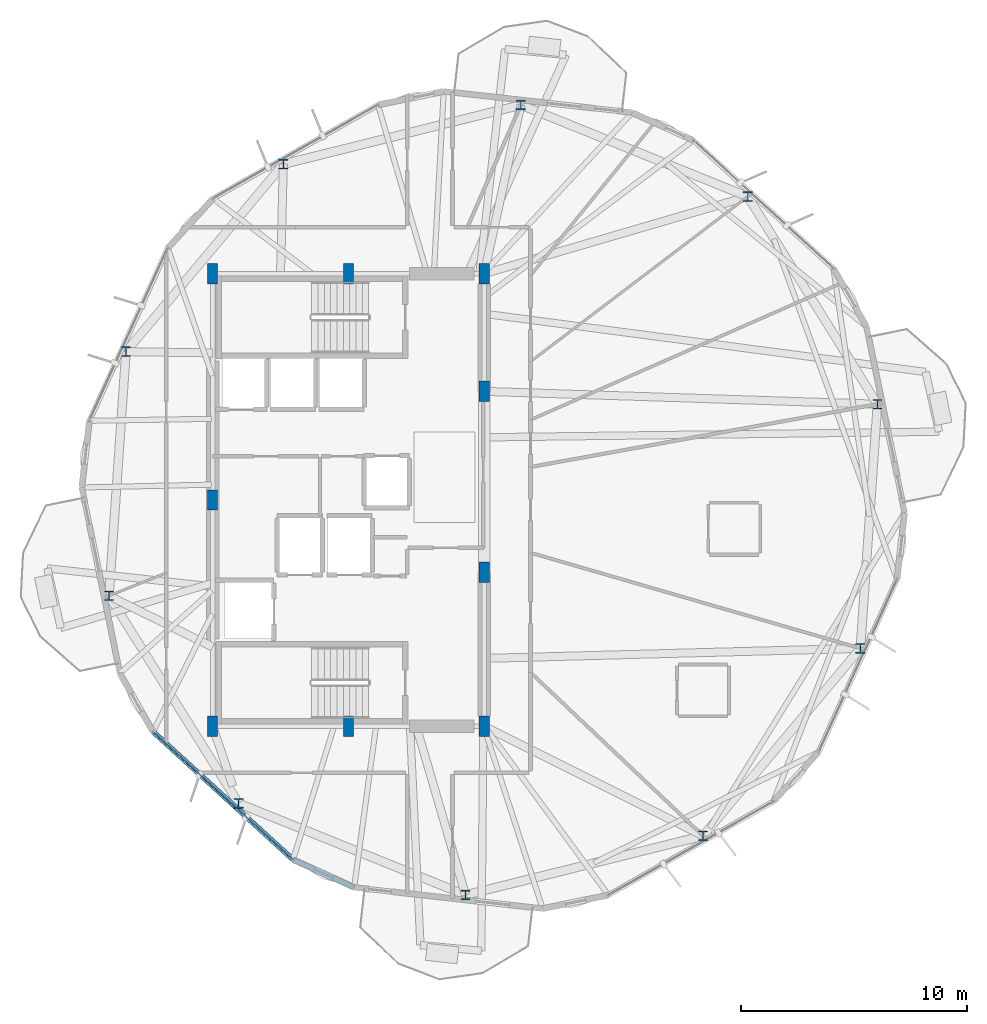
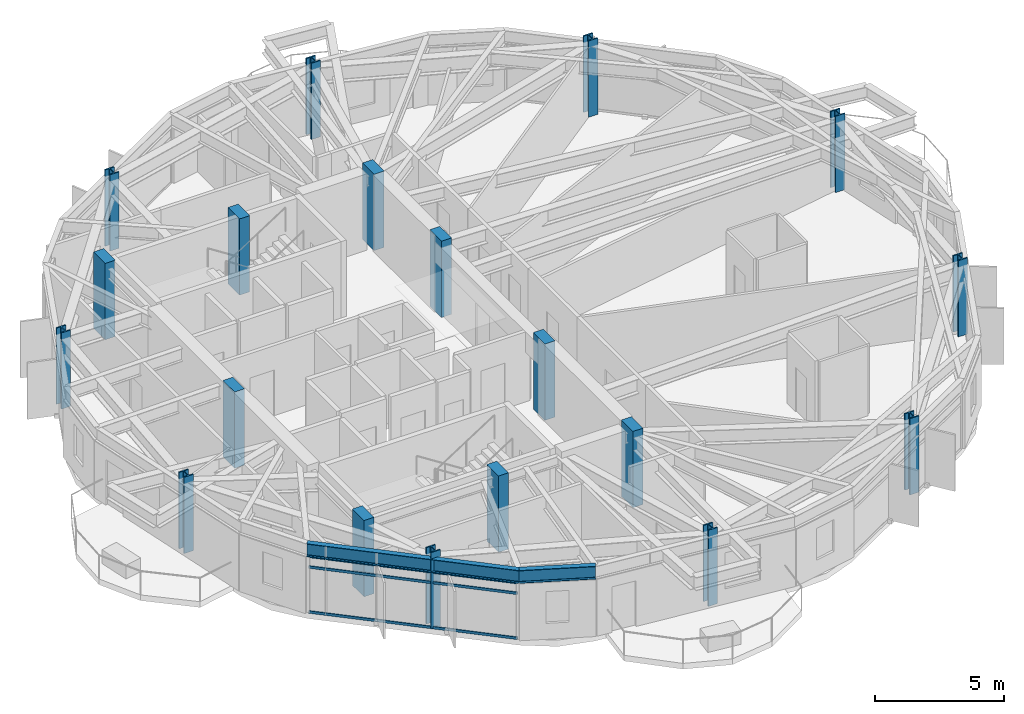
# One storey, part 1 of 22: 19 columns, 3 members, 2 beams, 1 element without a shape of its own.
"""IFC4 building model written with IfcOpenShell, lengths in metres."""

from ifc_helpers import new_model, si_unit, direction, frame, origin, origin_2d, place, context, subcontext, project, spatial, rectangle, hollow_rectangle, i_section, extrude, material, layer, layer_set, material_profile, profile_set, type_object, element, aggregate, save


model = new_model("IFC4")

# Units and contexts
model_context = context("Model", 3, precision=1e-05, world=origin(), true_north=direction((0.0, 1.0)))
body_context = subcontext(model_context, "Body", "Model", "MODEL_VIEW")
ifc_project = project(units=[si_unit("LENGTHUNIT", "METRE"), si_unit("AREAUNIT", "SQUARE_METRE"), si_unit("VOLUMEUNIT", "CUBIC_METRE"), si_unit("PLANEANGLEUNIT", "RADIAN"), si_unit("MASSUNIT", "GRAM", prefix="KILO")], contexts=[model_context])

# Site, building, storey
site_placement = place(None, origin())
site = spatial("IfcSite", under=ifc_project, at=site_placement, CompositionType="ELEMENT")
building_placement = place(site_placement, origin())
building = spatial("IfcBuilding", under=site, at=building_placement, Name="Soratama Intermodal Tower", CompositionType="ELEMENT")
storey_placement = place(building_placement, frame((0.0, 0.0, 142.60009765625)))
storey = spatial("IfcBuildingStorey", under=building, at=storey_placement, Name="L34", CompositionType="ELEMENT", Elevation=142.60009765625)

# Columns
ifc_material_1 = material(Name="Structural steel ASTM A992 Grade 50", Category="steel")
ifc_material_profile_1 = material_profile(ifc_material_1, i_section(OverallWidth=0.412109375, OverallDepth=0.43505859375, WebThickness=0.035888671875, FlangeThickness=0.057373046875, FilletRadius=0.0380859375, at=origin_2d()), Name="W14X311")
ifc_profile_set_1 = profile_set([ifc_material_profile_1], Name="Structural steel ASTM A992 Grade 50")
column_type_1 = type_object("IfcColumnType", Name="COL-ZC-W14X311", PredefinedType="COLUMN", material=ifc_profile_set_1)
for number, where, z_axis, x_axis, name in (
    (1, (61.980224609375, 29.233642578125, 0.0), (0.0, 0.0, 1.0), (1.0, 0.0, 0.0), "L34 Tower Ring Column R01"),
    (2, (56.248779296875, 38.40576171875, 0.0), (0.0, 0.0, 1.0), (1.0, 0.0, 0.0), "L34 Tower Ring Column R02"),
    (3, (46.220703125, 42.45751953125, 0.0), (0.0, 0.0, 1.0), (1.0, 0.0, 0.0), "L34 Tower Ring Column R03"),
    (4, (35.726318359375, 39.8408203125, 0.0), (0.0, 0.0, 1.0), (1.0, 0.0, 0.0), "L34 Tower Ring Column R04"),
    (5, (28.7744140625, 31.5556640625, 0.0), (0.0, 0.0, 1.0), (1.0, 0.0, 0.0), "L34 Tower Ring Column R05"),
    (6, (28.019775390625, 20.766357421875, 0.0), (0.0, 0.0, 1.0), (1.0, 0.0, 0.0), "L34 Tower Ring Column R06"),
    (7, (33.751220703125, 11.59423828125, 0.0), (0.0, 0.0, 1.0), (1.0, 0.0, 0.0), "L34 Tower Ring Column R07"),
    (8, (43.779296875, 7.54248046875, 0.0), (0.0, 0.0, 1.0), (1.0, 0.0, 0.0), "L34 Tower Ring Column R08"),
    (9, (54.273681640625, 10.1591796875, 0.0), (0.0, 0.0, 1.0), (1.0, 0.0, 0.0), "L34 Tower Ring Column R09"),
    (10, (61.2255859375, 18.4443359375, 0.0), (0.0, 0.0, 1.0), (1.0, 0.0, 0.0), "L34 Tower Ring Column R10"),
):
    element("IfcColumn", number, at=place(storey_placement, frame(where, z_axis=z_axis, x_axis=x_axis)), inside=storey, type_object=column_type_1, Name=name, PredefinedType="COLUMN", context=body_context, shape_type="SweptSolid", body=[
        extrude(i_section(OverallWidth=0.412109375, OverallDepth=0.43505859375, WebThickness=0.035888671875, FlangeThickness=0.057373046875, FilletRadius=0.0380859375, at=origin_2d()), origin(), (0.0, 0.0, 1.0), 3.599853515625),
    ])
ifc_material_2 = material(Name="Concrete f'c 56 MPa", Category="concrete")
ifc_material_profile_2 = material_profile(ifc_material_2, rectangle(XDim=0.449951171875, YDim=0.89990234375, at=origin_2d()), Name="RC450X900")
ifc_profile_set_2 = profile_set([ifc_material_profile_2], Name="Concrete f'c 56 MPa")
column_type_2 = type_object("IfcColumnType", Name="PIL-CORE-450X900", PredefinedType="PILASTER", material=ifc_profile_set_2)
for number, where, z_axis, x_axis, name in (
    (11, (32.60009765625, 15.0, 0.0), (0.0, 0.0, 1.0), (1.0, 0.0, 0.0), "L34 Core Pilaster 1"),
    (12, (32.60009765625, 25.0, 0.0), (0.0, 0.0, 1.0), (1.0, 0.0, 0.0), "L34 Core Pilaster 2"),
    (13, (32.60009765625, 35.0, 0.0), (0.0, 0.0, 1.0), (1.0, 0.0, 0.0), "L34 Core Pilaster 3"),
    (14, (38.60009765625, 15.0, 0.0), (0.0, 0.0, 1.0), (1.0, 0.0, 0.0), "L34 Core Pilaster 4"),
    (15, (38.60009765625, 35.0, 0.0), (0.0, 0.0, 1.0), (1.0, 0.0, 0.0), "L34 Core Pilaster 5"),
    (16, (44.60009765625, 15.0, 0.0), (0.0, 0.0, 1.0), (1.0, 0.0, 0.0), "L34 Core Pilaster 6"),
    (17, (44.60009765625, 21.800048828125, 0.0), (0.0, 0.0, 1.0), (1.0, 0.0, 0.0), "L34 Core Pilaster 7"),
    (18, (44.60009765625, 29.800048828125, 0.0), (0.0, 0.0, 1.0), (1.0, 0.0, 0.0), "L34 Core Pilaster 8"),
    (19, (44.60009765625, 35.0, 0.0), (0.0, 0.0, 1.0), (1.0, 0.0, 0.0), "L34 Core Pilaster 9"),
):
    element("IfcColumn", number, at=place(storey_placement, frame(where, z_axis=z_axis, x_axis=x_axis)), inside=storey, type_object=column_type_2, Name=name, PredefinedType="PILASTER", context=body_context, shape_type="SweptSolid", body=[
        extrude(rectangle(XDim=0.449951171875, YDim=0.89990234375, at=origin_2d()), origin(), (0.0, 0.0, 1.0), 3.599853515625),
    ])

# Beams
ifc_material_3 = material(Name="Structural steel ASTM A992 Grade 50", Category="steel")
ifc_material_profile_3 = material_profile(ifc_material_3, i_section(OverallWidth=0.22900390625, OverallDepth=0.612060546875, WebThickness=0.011962890625, FlangeThickness=0.01953125, FilletRadius=0.012939453125, at=origin_2d()), Name="W24X84")
ifc_profile_set_3 = profile_set([ifc_material_profile_3], Name="Structural steel ASTM A992 Grade 50")
beam_type = type_object("IfcBeamType", Name="BM-SPN-W24X84", PredefinedType="SPANDREL", material=ifc_profile_set_3)
beam_1_placement = place(storey_placement, frame((29.965087890625, 14.760986328125, 2.993896484375), z_axis=(0.738175880274, -0.674608308414, 0.0), x_axis=(0.674608308414, 0.738175880274, 0.0)))
element("IfcBeam", 20, at=beam_1_placement, inside=storey, type_object=beam_type, Name="BS-L34-F06", PredefinedType="SPANDREL", context=body_context, shape_type="SweptSolid", body=[
    extrude(i_section(OverallWidth=0.22900390625, OverallDepth=0.612060546875, WebThickness=0.011962890625, FlangeThickness=0.01953125, FilletRadius=0.012939453125, at=origin_2d()), origin(), (0.0, 0.0, 1.0), 8.384033203125),
])
beam_2_placement = place(storey_placement, frame((36.154052734375, 9.10498046875, 2.993896484375), z_axis=(0.910572134621, -0.413350199771, 0.0), x_axis=(0.413350199771, 0.910572134621, 0.0)))
element("IfcBeam", 21, at=beam_2_placement, inside=storey, type_object=beam_type, Name="BS-L34-CRN06", PredefinedType="SPANDREL", context=body_context, shape_type="SweptSolid", body=[
    extrude(i_section(OverallWidth=0.22900390625, OverallDepth=0.612060546875, WebThickness=0.011962890625, FlangeThickness=0.01953125, FilletRadius=0.012939453125, at=origin_2d()), origin(), (0.0, 0.0, 1.0), 2.96630859375),
])

# Curtain wall, members
ifc_material_4 = material(Name="Double-glazed aluminium curtain wall", Category="aluminium")
ifc_layer = layer(ifc_material_4, 0.159912109375)
ifc_layer_set = layer_set([ifc_layer], Name="Double-glazed aluminium curtain wall")
curtain_wall_type = type_object("IfcCurtainWallType", Name="CW-SYS-4", PredefinedType="NOTDEFINED", material=ifc_layer_set)
curtain_wall_placement = place(storey_placement, origin())
curtain_wall = element("IfcCurtainWall", 22, at=curtain_wall_placement, inside=storey, type_object=curtain_wall_type, Name="L34 Faceted Curtain Wall F06", PredefinedType="NOTDEFINED")
ifc_material_5 = material(Name="Anodised aluminium AA 6063-T6", Category="aluminium")
ifc_material_profile_4 = material_profile(ifc_material_5, hollow_rectangle(XDim=0.06005859375, YDim=0.1298828125, WallThickness=0.0048828125, InnerFilletRadius=0.0048828125, OuterFilletRadius=0.010009765625, at=origin_2d()), Name="CWT130X60X5")
ifc_profile_set_4 = profile_set([ifc_material_profile_4], Name="Anodised aluminium AA 6063-T6")
member_type = type_object("IfcMemberType", Name="TT-CWT-2", PredefinedType="USERDEFINED", material=ifc_profile_set_4)
member_1_placement = place(storey_placement, frame((30.009765625, 14.719970703125, 0.02978515625), z_axis=(0.738210390225, -0.67457054469, 0.0), x_axis=(0.67457054469, 0.738210390225, 0.0)))
member_1 = element("IfcMember", 23, at=member_1_placement, type_object=member_type, Name="CW-4 transom 1.1", ObjectType="TRANSOM", PredefinedType="USERDEFINED", context=body_context, shape_type="SweptSolid", body=[
    extrude(hollow_rectangle(XDim=0.06005859375, YDim=0.1298828125, WallThickness=0.0048828125, InnerFilletRadius=0.0048828125, OuterFilletRadius=0.010009765625, at=origin_2d()), origin(), (0.0, 0.0, 1.0), 8.263427734375),
])
member_2_placement = place(storey_placement, frame((30.009765625, 14.719970703125, 2.14990234375), z_axis=(0.738210390225, -0.67457054469, 0.0), x_axis=(0.67457054469, 0.738210390225, 0.0)))
member_2 = element("IfcMember", 24, at=member_2_placement, type_object=member_type, Name="CW-4 transom 1.2", ObjectType="TRANSOM", PredefinedType="USERDEFINED", context=body_context, shape_type="SweptSolid", body=[
    extrude(hollow_rectangle(XDim=0.06005859375, YDim=0.1298828125, WallThickness=0.0048828125, InnerFilletRadius=0.0048828125, OuterFilletRadius=0.010009765625, at=origin_2d()), origin(), (0.0, 0.0, 1.0), 8.263427734375),
])
member_3_placement = place(storey_placement, frame((30.009765625, 14.719970703125, 2.64892578125), z_axis=(0.738210390225, -0.67457054469, 0.0), x_axis=(0.67457054469, 0.738210390225, 0.0)))
member_3 = element("IfcMember", 25, at=member_3_placement, type_object=member_type, Name="CW-4 transom 1.3", ObjectType="TRANSOM", PredefinedType="USERDEFINED", context=body_context, shape_type="SweptSolid", body=[
    extrude(hollow_rectangle(XDim=0.06005859375, YDim=0.1298828125, WallThickness=0.0048828125, InnerFilletRadius=0.0048828125, OuterFilletRadius=0.010009765625, at=origin_2d()), origin(), (0.0, 0.0, 1.0), 8.263427734375),
])
aggregate(curtain_wall, [member_1, member_2, member_3])

save(model, "model.ifc")
